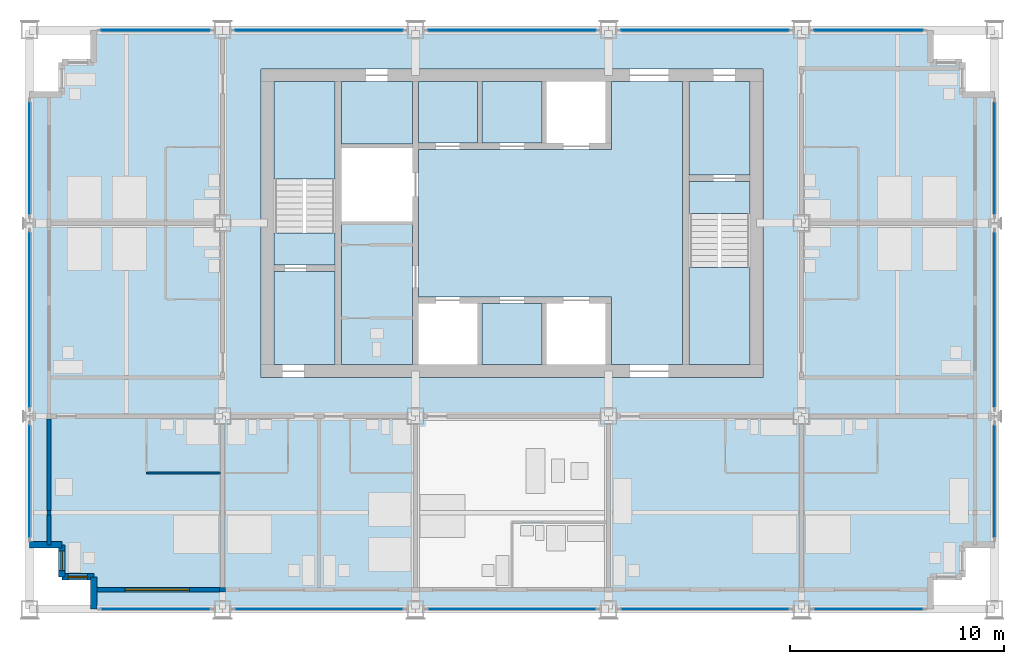
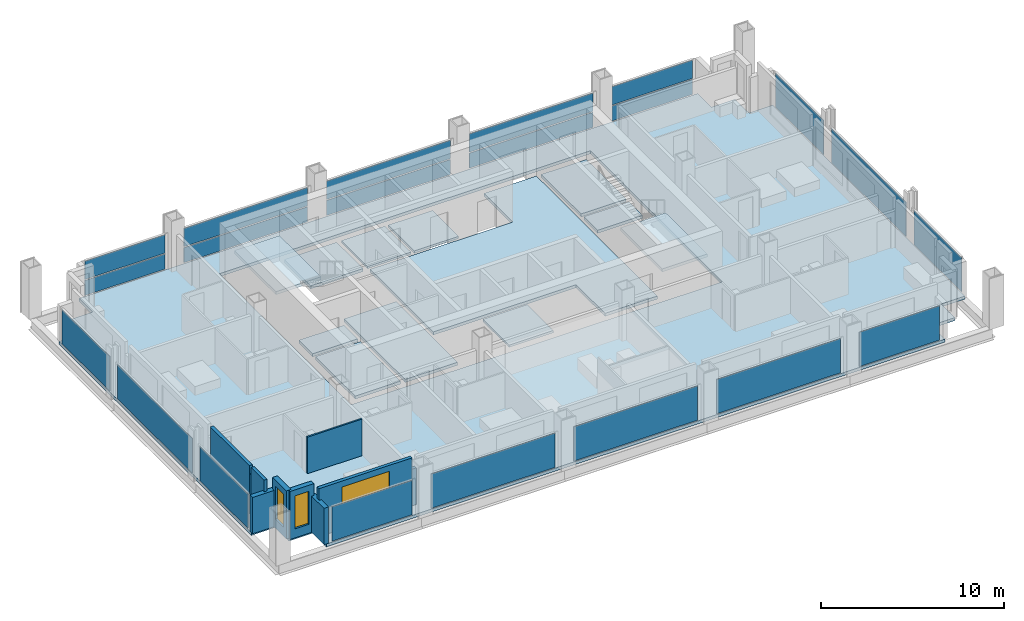
# One storey, part 6 of 13: 21 plates, 13 slabs, 10 walls, 3 windows, 3 openings, 18 elements without a shape of their own.
"""IFC4 building model written with IfcOpenShell, lengths in metres."""

from ifc_helpers import new_model, si_unit, direction, frame, frame_2d, origin, origin_2d, place, context, subcontext, project, spatial, polyline, rectangle, outline, extrude, material, layer, layer_set, type_object, element, fill, aggregate, save


model = new_model("IFC4")

# Units and contexts
model_context = context("Model", 3, precision=1e-05, world=origin(), true_north=direction((0.0, 1.0)))
body_context = subcontext(model_context, "Body", "Model", "MODEL_VIEW")
ifc_project = project(units=[si_unit("LENGTHUNIT", "METRE"), si_unit("AREAUNIT", "SQUARE_METRE"), si_unit("VOLUMEUNIT", "CUBIC_METRE"), si_unit("PLANEANGLEUNIT", "RADIAN"), si_unit("MASSUNIT", "GRAM", prefix="KILO")], contexts=[model_context])

# Site, building, storey
site_placement = place(None, origin())
site = spatial("IfcSite", under=ifc_project, at=site_placement, CompositionType="ELEMENT")
building_placement = place(site_placement, origin())
building = spatial("IfcBuilding", under=site, at=building_placement, Name="Loomwork Tower", CompositionType="ELEMENT")
storey_placement = place(building_placement, frame((0.0, 0.0, 187.60009765625)))
storey = spatial("IfcBuildingStorey", under=building, at=storey_placement, Name="L51", CompositionType="ELEMENT", Elevation=187.60009765625)

# Slabs
ifc_material_1 = material(Name="Concrete 5000 psi (34 MPa) on composite metal deck", Category="concrete")
ifc_layer_1 = layer(ifc_material_1, 0.199951171875)
ifc_layer_set_1 = layer_set([ifc_layer_1], Name="Floor slab 200")
slab_type_1 = type_object("IfcSlabType", Name="Floor slab 200", PredefinedType="FLOOR", material=ifc_layer_set_1)
slab_1_placement = place(storey_placement, frame((0.0, 0.0, -0.2001953125)))
element("IfcSlab", 1, at=slab_1_placement, inside=storey, type_object=slab_type_1, Name="Floor slab L51", PredefinedType="FLOOR", context=body_context, shape_type="SweptSolid", body=[
    extrude(outline(polyline([(3.0, 1.5), (1.5, 1.5), (1.5, 3.0), (0.0, 3.0), (0.0, 24.0), (1.5, 24.0), (1.5, 25.5), (3.0, 25.5), (3.0, 27.0), (42.0, 27.0), (42.0, 25.5), (43.5, 25.5), (43.5, 24.0), (45.0, 24.0), (45.0, 3.0), (43.5, 3.0), (43.5, 1.5), (42.0, 1.5), (42.0, 0.0), (3.0, 0.0), (3.0, 1.5)]), holes=[polyline([(10.800048828125, 11.39990234375), (10.800048828125, 11.39990234375), (10.800048828125, 10.800048828125), (34.199951171875, 10.800048828125), (34.199951171875, 11.39990234375), (34.199951171875, 11.39990234375), (34.199951171875, 24.60009765625), (34.199951171875, 25.199951171875), (10.800048828125, 25.199951171875), (10.800048828125, 24.60009765625), (10.800048828125, 11.39990234375)])]), origin(), (0.0, 0.0, 1.0), 0.2001953125),
])
slab_2_placement = place(storey_placement, frame((0.0, 0.0, -0.2001953125)))
element("IfcSlab", 2, at=slab_2_placement, inside=storey, type_object=slab_type_1, Name="Floor slab L51", PredefinedType="FLOOR", context=body_context, shape_type="SweptSolid", body=[
    extrude(outline(polyline([(30.449951171875, 24.60009765625), (30.449951171875, 11.39990234375), (27.14990234375, 11.39990234375), (27.14990234375, 14.25), (27.14990234375, 14.550048828125), (18.14990234375, 14.550048828125), (18.14990234375, 21.449951171875), (27.14990234375, 21.449951171875), (27.14990234375, 21.75), (27.14990234375, 24.60009765625), (30.449951171875, 24.60009765625)])), origin(), (0.0, 0.0, 1.0), 0.2001953125),
])
slab_3_placement = place(storey_placement, frame((0.0, 0.0, -0.2001953125)))
element("IfcSlab", 3, at=slab_3_placement, inside=storey, type_object=slab_type_1, Name="Floor slab L51", PredefinedType="FLOOR", context=body_context, shape_type="SweptSolid", body=[
    extrude(outline(polyline([(14.550048828125, 11.39990234375), (14.550048828125, 18.074951171875), (17.85009765625, 18.074951171875), (17.85009765625, 11.39990234375), (14.550048828125, 11.39990234375)])), origin(), (0.0, 0.0, 1.0), 0.2001953125),
])
slab_4_placement = place(storey_placement, frame((0.0, 0.0, -0.2001953125)))
element("IfcSlab", 4, at=slab_4_placement, inside=storey, type_object=slab_type_1, Name="Floor slab L51", PredefinedType="FLOOR", context=body_context, shape_type="SweptSolid", body=[
    extrude(outline(polyline([(33.60009765625, 20.25), (30.75, 20.25), (30.75, 24.60009765625), (33.60009765625, 24.60009765625), (33.60009765625, 20.25)])), origin(), (0.0, 0.0, 1.0), 0.2001953125),
])
slab_5_placement = place(storey_placement, frame((0.0, 0.0, -0.2001953125)))
element("IfcSlab", 5, at=slab_5_placement, inside=storey, type_object=slab_type_1, Name="Floor slab L51", PredefinedType="FLOOR", context=body_context, shape_type="SweptSolid", body=[
    extrude(outline(polyline([(14.25, 15.75), (14.25, 11.39990234375), (11.39990234375, 11.39990234375), (11.39990234375, 15.75), (14.25, 15.75)])), origin(), (0.0, 0.0, 1.0), 0.2001953125),
])
slab_6_placement = place(storey_placement, frame((0.0, 0.0, -0.2001953125)))
element("IfcSlab", 6, at=slab_6_placement, inside=storey, type_object=slab_type_1, Name="Floor slab L51", PredefinedType="FLOOR", context=body_context, shape_type="SweptSolid", body=[
    extrude(outline(polyline([(14.550048828125, 21.699951171875), (14.550048828125, 24.60009765625), (17.85009765625, 24.60009765625), (17.85009765625, 21.699951171875), (14.550048828125, 21.699951171875)])), origin(), (0.0, 0.0, 1.0), 0.2001953125),
])

# Curtain wall, plate
ifc_material_2 = material(Name="Aluminium curtain wall frame", Category="aluminium")
curtain_wall_type_1 = type_object("IfcCurtainWallType", Name="Outer skin glazing hotel", PredefinedType="NOTDEFINED", material=ifc_material_2)
curtain_wall_1_placement = place(storey_placement, origin())
curtain_wall_1 = element("IfcCurtainWall", 7, at=curtain_wall_1_placement, inside=storey, type_object=curtain_wall_type_1, Name="Outer skin glazing hotel cw/S-0", PredefinedType="NOTDEFINED")
ifc_material_3 = material(Name="Clear laminated glass", Category="glass")
ifc_layer_2 = layer(ifc_material_3, 0.02392578125)
ifc_layer_set_2 = layer_set([ifc_layer_2], Name="Outer skin glazing hotel panel")
plate_type_1 = type_object("IfcPlateType", Name="Outer skin glazing hotel panel", PredefinedType="CURTAIN_PANEL", material=ifc_layer_set_2)
plate_1_placement = place(storey_placement, frame((5.875, 0.0, 0.06494140625), z_axis=(0.0, 0.0, 1.0), x_axis=(1.0, 0.0, 0.0)))
plate_1 = element("IfcPlate", 8, at=plate_1_placement, type_object=plate_type_1, Name="CW1 panel 1.1", PredefinedType="CURTAIN_PANEL", context=body_context, shape_type="SweptSolid", body=[
    extrude(rectangle(XDim=5.050048828125, YDim=0.02392578125, at=origin_2d()), origin(), (0.0, 0.0, 1.0), 2.290283203125),
])
aggregate(curtain_wall_1, [plate_1])

curtain_wall_2_placement = place(storey_placement, origin())
curtain_wall_2 = element("IfcCurtainWall", 9, at=curtain_wall_2_placement, inside=storey, type_object=curtain_wall_type_1, Name="Outer skin glazing hotel cw/S-9", PredefinedType="NOTDEFINED")
plate_2_placement = place(storey_placement, frame((13.5, 0.0, 0.06494140625), z_axis=(0.0, 0.0, 1.0), x_axis=(1.0, 0.0, 0.0)))
plate_2 = element("IfcPlate", 10, at=plate_2_placement, type_object=plate_type_1, Name="CW1 panel 1.1", PredefinedType="CURTAIN_PANEL", context=body_context, shape_type="SweptSolid", body=[
    extrude(rectangle(XDim=7.800048828125, YDim=0.02392578125, at=origin_2d()), origin(), (0.0, 0.0, 1.0), 2.290283203125),
])
aggregate(curtain_wall_2, [plate_2])

curtain_wall_3_placement = place(storey_placement, origin())
curtain_wall_3 = element("IfcCurtainWall", 11, at=curtain_wall_3_placement, inside=storey, type_object=curtain_wall_type_1, Name="Outer skin glazing hotel cw/S-18", PredefinedType="NOTDEFINED")
plate_3_placement = place(storey_placement, frame((22.5, 0.0, 0.06494140625), z_axis=(0.0, 0.0, 1.0), x_axis=(1.0, 0.0, 0.0)))
plate_3 = element("IfcPlate", 12, at=plate_3_placement, type_object=plate_type_1, Name="CW1 panel 1.1", PredefinedType="CURTAIN_PANEL", context=body_context, shape_type="SweptSolid", body=[
    extrude(rectangle(XDim=7.800048828125, YDim=0.02392578125, at=origin_2d()), origin(), (0.0, 0.0, 1.0), 2.290283203125),
])
aggregate(curtain_wall_3, [plate_3])

curtain_wall_4_placement = place(storey_placement, origin())
curtain_wall_4 = element("IfcCurtainWall", 13, at=curtain_wall_4_placement, inside=storey, type_object=curtain_wall_type_1, Name="Outer skin glazing hotel cw/S-27", PredefinedType="NOTDEFINED")
plate_4_placement = place(storey_placement, frame((31.5, 0.0, 0.06494140625), z_axis=(0.0, 0.0, 1.0), x_axis=(1.0, 0.0, 0.0)))
plate_4 = element("IfcPlate", 14, at=plate_4_placement, type_object=plate_type_1, Name="CW1 panel 1.1", PredefinedType="CURTAIN_PANEL", context=body_context, shape_type="SweptSolid", body=[
    extrude(rectangle(XDim=7.800048828125, YDim=0.02392578125, at=origin_2d()), origin(), (0.0, 0.0, 1.0), 2.290283203125),
])
aggregate(curtain_wall_4, [plate_4])

curtain_wall_5_placement = place(storey_placement, origin())
curtain_wall_5 = element("IfcCurtainWall", 15, at=curtain_wall_5_placement, inside=storey, type_object=curtain_wall_type_1, Name="Outer skin glazing hotel cw/S-36", PredefinedType="NOTDEFINED")
plate_5_placement = place(storey_placement, frame((39.125, 0.0, 0.06494140625), z_axis=(0.0, 0.0, 1.0), x_axis=(1.0, 0.0, 0.0)))
plate_5 = element("IfcPlate", 16, at=plate_5_placement, type_object=plate_type_1, Name="CW1 panel 1.1", PredefinedType="CURTAIN_PANEL", context=body_context, shape_type="SweptSolid", body=[
    extrude(rectangle(XDim=5.050048828125, YDim=0.02392578125, at=origin_2d()), origin(), (0.0, 0.0, 1.0), 2.290283203125),
])
aggregate(curtain_wall_5, [plate_5])

curtain_wall_6_placement = place(storey_placement, origin())
curtain_wall_6 = element("IfcCurtainWall", 17, at=curtain_wall_6_placement, inside=storey, type_object=curtain_wall_type_1, Name="Outer skin glazing hotel cw/W-0", PredefinedType="NOTDEFINED")
plate_6_placement = place(storey_placement, frame((0.0, 5.962646484375, 0.06494140625), z_axis=(0.0, 0.0, 1.0), x_axis=(0.0, -1.0, 0.0)))
plate_6 = element("IfcPlate", 18, at=plate_6_placement, type_object=plate_type_1, Name="CW1 panel 1.1", PredefinedType="CURTAIN_PANEL", context=body_context, shape_type="SweptSolid", body=[
    extrude(rectangle(XDim=5.22509765625, YDim=0.02392578125, at=origin_2d()), origin(), (0.0, 0.0, 1.0), 2.290283203125),
])
aggregate(curtain_wall_6, [plate_6])

curtain_wall_7_placement = place(storey_placement, origin())
curtain_wall_7 = element("IfcCurtainWall", 19, at=curtain_wall_7_placement, inside=storey, type_object=curtain_wall_type_1, Name="Outer skin glazing hotel cw/W-9", PredefinedType="NOTDEFINED")
plate_7_placement = place(storey_placement, frame((0.0, 13.5, 0.06494140625), z_axis=(0.0, 0.0, 1.0), x_axis=(0.0, -1.0, 0.0)))
plate_7 = element("IfcPlate", 20, at=plate_7_placement, type_object=plate_type_1, Name="CW1 panel 1.1", PredefinedType="CURTAIN_PANEL", context=body_context, shape_type="SweptSolid", body=[
    extrude(rectangle(XDim=8.150390625, YDim=0.02392578125, at=origin_2d()), origin(), (0.0, 0.0, 1.0), 2.290283203125),
])
aggregate(curtain_wall_7, [plate_7])

curtain_wall_8_placement = place(storey_placement, origin())
curtain_wall_8 = element("IfcCurtainWall", 21, at=curtain_wall_8_placement, inside=storey, type_object=curtain_wall_type_1, Name="Outer skin glazing hotel cw/W-18", PredefinedType="NOTDEFINED")
plate_8_placement = place(storey_placement, frame((0.0, 21.037353515625, 0.06494140625), z_axis=(0.0, 0.0, 1.0), x_axis=(0.0, -1.0, 0.0)))
plate_8 = element("IfcPlate", 22, at=plate_8_placement, type_object=plate_type_1, Name="CW1 panel 1.1", PredefinedType="CURTAIN_PANEL", context=body_context, shape_type="SweptSolid", body=[
    extrude(rectangle(XDim=5.22509765625, YDim=0.02392578125, at=origin_2d()), origin(), (0.0, 0.0, 1.0), 2.290283203125),
])
aggregate(curtain_wall_8, [plate_8])

curtain_wall_9_placement = place(storey_placement, origin())
curtain_wall_9 = element("IfcCurtainWall", 23, at=curtain_wall_9_placement, inside=storey, type_object=curtain_wall_type_1, Name="Outer skin glazing hotel cw/E-0", PredefinedType="NOTDEFINED")
plate_9_placement = place(storey_placement, frame((45.0, 5.962646484375, 0.06494140625), z_axis=(0.0, 0.0, 1.0), x_axis=(0.0, 1.0, 0.0)))
plate_9 = element("IfcPlate", 24, at=plate_9_placement, type_object=plate_type_1, Name="CW1 panel 1.1", PredefinedType="CURTAIN_PANEL", context=body_context, shape_type="SweptSolid", body=[
    extrude(rectangle(XDim=5.22509765625, YDim=0.02392578125, at=origin_2d()), origin(), (0.0, 0.0, 1.0), 2.290283203125),
])
aggregate(curtain_wall_9, [plate_9])

curtain_wall_10_placement = place(storey_placement, origin())
curtain_wall_10 = element("IfcCurtainWall", 25, at=curtain_wall_10_placement, inside=storey, type_object=curtain_wall_type_1, Name="Outer skin glazing hotel cw/E-9", PredefinedType="NOTDEFINED")
plate_10_placement = place(storey_placement, frame((45.0, 13.5, 0.06494140625), z_axis=(0.0, 0.0, 1.0), x_axis=(0.0, 1.0, 0.0)))
plate_10 = element("IfcPlate", 26, at=plate_10_placement, type_object=plate_type_1, Name="CW1 panel 1.1", PredefinedType="CURTAIN_PANEL", context=body_context, shape_type="SweptSolid", body=[
    extrude(rectangle(XDim=8.150390625, YDim=0.02392578125, at=origin_2d()), origin(), (0.0, 0.0, 1.0), 2.290283203125),
])
aggregate(curtain_wall_10, [plate_10])

curtain_wall_11_placement = place(storey_placement, origin())
curtain_wall_11 = element("IfcCurtainWall", 27, at=curtain_wall_11_placement, inside=storey, type_object=curtain_wall_type_1, Name="Outer skin glazing hotel cw/E-18", PredefinedType="NOTDEFINED")
plate_11_placement = place(storey_placement, frame((45.0, 21.037353515625, 0.06494140625), z_axis=(0.0, 0.0, 1.0), x_axis=(0.0, 1.0, 0.0)))
plate_11 = element("IfcPlate", 28, at=plate_11_placement, type_object=plate_type_1, Name="CW1 panel 1.1", PredefinedType="CURTAIN_PANEL", context=body_context, shape_type="SweptSolid", body=[
    extrude(rectangle(XDim=5.22509765625, YDim=0.02392578125, at=origin_2d()), origin(), (0.0, 0.0, 1.0), 2.290283203125),
])
aggregate(curtain_wall_11, [plate_11])

# Slabs
ifc_material_4 = material(Name="Concrete 5000 psi (34 MPa) on composite metal deck", Category="concrete")
ifc_layer_3 = layer(ifc_material_4, 0.14990234375)
ifc_layer_set_3 = layer_set([ifc_layer_3], Name="Shaft infill floor 150")
slab_type_2 = type_object("IfcSlabType", Name="Shaft infill floor 150", PredefinedType="FLOOR", material=ifc_layer_set_3)
slab_7_placement = place(storey_placement, frame((0.0, 0.0, -0.150146484375)))
element("IfcSlab", 29, at=slab_7_placement, inside=storey, type_object=slab_type_2, Name="Shaft infill floor LS1 L51", PredefinedType="FLOOR", context=body_context, shape_type="SweptSolid", body=[
    extrude(outline(polyline([(18.14990234375, 21.75), (20.89990234375, 21.75), (20.89990234375, 24.60009765625), (18.14990234375, 24.60009765625), (18.14990234375, 21.75)])), origin(), (0.0, 0.0, 1.0), 0.150146484375),
])
slab_8_placement = place(storey_placement, frame((0.0, 0.0, -0.150146484375)))
element("IfcSlab", 30, at=slab_8_placement, inside=storey, type_object=slab_type_2, Name="Shaft infill floor LS2 L51", PredefinedType="FLOOR", context=body_context, shape_type="SweptSolid", body=[
    extrude(outline(polyline([(21.10009765625, 21.75), (23.89990234375, 21.75), (23.89990234375, 24.60009765625), (21.10009765625, 24.60009765625), (21.10009765625, 21.75)])), origin(), (0.0, 0.0, 1.0), 0.150146484375),
])
slab_9_placement = place(storey_placement, frame((0.0, 0.0, -0.150146484375)))
element("IfcSlab", 31, at=slab_9_placement, inside=storey, type_object=slab_type_2, Name="Shaft infill floor S2 L51", PredefinedType="FLOOR", context=body_context, shape_type="SweptSolid", body=[
    extrude(outline(polyline([(21.10009765625, 11.39990234375), (23.89990234375, 11.39990234375), (23.89990234375, 14.25), (21.10009765625, 14.25), (21.10009765625, 11.39990234375)])), origin(), (0.0, 0.0, 1.0), 0.150146484375),
])

# Curtain wall, plates
ifc_material_5 = material(Name="Aluminium curtain wall frame", Category="aluminium")
curtain_wall_type_2 = type_object("IfcCurtainWallType", Name="Single skin glazing corridor", PredefinedType="NOTDEFINED", material=ifc_material_5)
curtain_wall_12_placement = place(storey_placement, origin())
curtain_wall_12 = element("IfcCurtainWall", 32, at=curtain_wall_12_placement, inside=storey, type_object=curtain_wall_type_2, Name="Single skin glazing corridor cw/N-0", PredefinedType="NOTDEFINED")
ifc_material_6 = material(Name="Clear insulated glass", Category="glass")
ifc_layer_4 = layer(ifc_material_6, 0.031982421875)
ifc_layer_set_4 = layer_set([ifc_layer_4], Name="Single skin glazing corridor panel")
plate_type_2 = type_object("IfcPlateType", Name="Single skin glazing corridor panel", PredefinedType="CURTAIN_PANEL", material=ifc_layer_set_4)
plate_12_placement = place(storey_placement, frame((5.875, 27.0, 0.06494140625), z_axis=(0.0, 0.0, 1.0), x_axis=(-1.0, 0.0, 0.0)))
plate_12 = element("IfcPlate", 33, at=plate_12_placement, type_object=plate_type_2, Name="CW3 panel 1.1", PredefinedType="CURTAIN_PANEL", context=body_context, shape_type="SweptSolid", body=[
    extrude(rectangle(XDim=5.050048828125, YDim=0.031982421875, at=origin_2d()), origin(), (0.0, 0.0, 1.0), 1.00244140625),
])
plate_13_placement = place(storey_placement, frame((5.875, 27.0, 1.13232421875), z_axis=(0.0, 0.0, 1.0), x_axis=(-1.0, 0.0, 0.0)))
plate_13 = element("IfcPlate", 34, at=plate_13_placement, type_object=plate_type_2, Name="CW3 panel 1.2", PredefinedType="CURTAIN_PANEL", context=body_context, shape_type="SweptSolid", body=[
    extrude(rectangle(XDim=5.050048828125, YDim=0.031982421875, at=origin_2d()), origin(), (0.0, 0.0, 1.0), 1.22265625),
])
aggregate(curtain_wall_12, [plate_12, plate_13])

curtain_wall_13_placement = place(storey_placement, origin())
curtain_wall_13 = element("IfcCurtainWall", 35, at=curtain_wall_13_placement, inside=storey, type_object=curtain_wall_type_2, Name="Single skin glazing corridor cw/N-9", PredefinedType="NOTDEFINED")
plate_14_placement = place(storey_placement, frame((13.5, 27.0, 0.06494140625), z_axis=(0.0, 0.0, 1.0), x_axis=(-1.0, 0.0, 0.0)))
plate_14 = element("IfcPlate", 36, at=plate_14_placement, type_object=plate_type_2, Name="CW3 panel 1.1", PredefinedType="CURTAIN_PANEL", context=body_context, shape_type="SweptSolid", body=[
    extrude(rectangle(XDim=7.800048828125, YDim=0.031982421875, at=origin_2d()), origin(), (0.0, 0.0, 1.0), 1.00244140625),
])
plate_15_placement = place(storey_placement, frame((13.5, 27.0, 1.13232421875), z_axis=(0.0, 0.0, 1.0), x_axis=(-1.0, 0.0, 0.0)))
plate_15 = element("IfcPlate", 37, at=plate_15_placement, type_object=plate_type_2, Name="CW3 panel 1.2", PredefinedType="CURTAIN_PANEL", context=body_context, shape_type="SweptSolid", body=[
    extrude(rectangle(XDim=7.800048828125, YDim=0.031982421875, at=origin_2d()), origin(), (0.0, 0.0, 1.0), 1.22265625),
])
aggregate(curtain_wall_13, [plate_14, plate_15])

curtain_wall_14_placement = place(storey_placement, origin())
curtain_wall_14 = element("IfcCurtainWall", 38, at=curtain_wall_14_placement, inside=storey, type_object=curtain_wall_type_2, Name="Single skin glazing corridor cw/N-18", PredefinedType="NOTDEFINED")
plate_16_placement = place(storey_placement, frame((22.5, 27.0, 0.06494140625), z_axis=(0.0, 0.0, 1.0), x_axis=(-1.0, 0.0, 0.0)))
plate_16 = element("IfcPlate", 39, at=plate_16_placement, type_object=plate_type_2, Name="CW3 panel 1.1", PredefinedType="CURTAIN_PANEL", context=body_context, shape_type="SweptSolid", body=[
    extrude(rectangle(XDim=7.800048828125, YDim=0.031982421875, at=origin_2d()), origin(), (0.0, 0.0, 1.0), 1.00244140625),
])
plate_17_placement = place(storey_placement, frame((22.5, 27.0, 1.13232421875), z_axis=(0.0, 0.0, 1.0), x_axis=(-1.0, 0.0, 0.0)))
plate_17 = element("IfcPlate", 40, at=plate_17_placement, type_object=plate_type_2, Name="CW3 panel 1.2", PredefinedType="CURTAIN_PANEL", context=body_context, shape_type="SweptSolid", body=[
    extrude(rectangle(XDim=7.800048828125, YDim=0.031982421875, at=origin_2d()), origin(), (0.0, 0.0, 1.0), 1.22265625),
])
aggregate(curtain_wall_14, [plate_16, plate_17])

curtain_wall_15_placement = place(storey_placement, origin())
curtain_wall_15 = element("IfcCurtainWall", 41, at=curtain_wall_15_placement, inside=storey, type_object=curtain_wall_type_2, Name="Single skin glazing corridor cw/N-27", PredefinedType="NOTDEFINED")
plate_18_placement = place(storey_placement, frame((31.5, 27.0, 0.06494140625), z_axis=(0.0, 0.0, 1.0), x_axis=(-1.0, 0.0, 0.0)))
plate_18 = element("IfcPlate", 42, at=plate_18_placement, type_object=plate_type_2, Name="CW3 panel 1.1", PredefinedType="CURTAIN_PANEL", context=body_context, shape_type="SweptSolid", body=[
    extrude(rectangle(XDim=7.800048828125, YDim=0.031982421875, at=origin_2d()), origin(), (0.0, 0.0, 1.0), 1.00244140625),
])
plate_19_placement = place(storey_placement, frame((31.5, 27.0, 1.13232421875), z_axis=(0.0, 0.0, 1.0), x_axis=(-1.0, 0.0, 0.0)))
plate_19 = element("IfcPlate", 43, at=plate_19_placement, type_object=plate_type_2, Name="CW3 panel 1.2", PredefinedType="CURTAIN_PANEL", context=body_context, shape_type="SweptSolid", body=[
    extrude(rectangle(XDim=7.800048828125, YDim=0.031982421875, at=origin_2d()), origin(), (0.0, 0.0, 1.0), 1.22265625),
])
aggregate(curtain_wall_15, [plate_18, plate_19])

curtain_wall_16_placement = place(storey_placement, origin())
curtain_wall_16 = element("IfcCurtainWall", 44, at=curtain_wall_16_placement, inside=storey, type_object=curtain_wall_type_2, Name="Single skin glazing corridor cw/N-36", PredefinedType="NOTDEFINED")
plate_20_placement = place(storey_placement, frame((39.125, 27.0, 0.06494140625), z_axis=(0.0, 0.0, 1.0), x_axis=(-1.0, 0.0, 0.0)))
plate_20 = element("IfcPlate", 45, at=plate_20_placement, type_object=plate_type_2, Name="CW3 panel 1.1", PredefinedType="CURTAIN_PANEL", context=body_context, shape_type="SweptSolid", body=[
    extrude(rectangle(XDim=5.050048828125, YDim=0.031982421875, at=origin_2d()), origin(), (0.0, 0.0, 1.0), 1.00244140625),
])
plate_21_placement = place(storey_placement, frame((39.125, 27.0, 1.13232421875), z_axis=(0.0, 0.0, 1.0), x_axis=(-1.0, 0.0, 0.0)))
plate_21 = element("IfcPlate", 46, at=plate_21_placement, type_object=plate_type_2, Name="CW3 panel 1.2", PredefinedType="CURTAIN_PANEL", context=body_context, shape_type="SweptSolid", body=[
    extrude(rectangle(XDim=5.050048828125, YDim=0.031982421875, at=origin_2d()), origin(), (0.0, 0.0, 1.0), 1.22265625),
])
aggregate(curtain_wall_16, [plate_20, plate_21])

# Stair, slabs
ifc_material_7 = material(Name="Concrete 5000 psi (34 MPa) precast stair", Category="concrete")
stair_type_1 = type_object("IfcStairType", Name="Stair ST-A 20 risers 2850 wide", PredefinedType="HALF_TURN_STAIR", material=ifc_material_7)
stair_1_placement = place(storey_placement, origin())
stair_1 = element("IfcStair", 47, at=stair_1_placement, inside=storey, type_object=stair_type_1, Name="Stair A L51", PredefinedType="HALF_TURN_STAIR")
ifc_material_8 = material(Name="Concrete 5000 psi (34 MPa)", Category="concrete")
ifc_layer_5 = layer(ifc_material_8, 0.199951171875)
ifc_layer_set_5 = layer_set([ifc_layer_5], Name="Stair landing 200")
slab_type_3 = type_object("IfcSlabType", Name="Stair landing 200", PredefinedType="LANDING", material=ifc_layer_set_5)
slab_10_placement = place(storey_placement, frame((0.0, 0.0, -0.2001953125)))
slab_10 = element("IfcSlab", 48, at=slab_10_placement, type_object=slab_type_3, Name="ST-A landing 1", PredefinedType="LANDING", context=body_context, shape_type="SweptSolid", body=[
    extrude(outline(polyline([(11.39990234375, 16.050048828125), (14.25, 16.050048828125), (14.25, 17.550048828125), (11.39990234375, 17.550048828125), (11.39990234375, 16.050048828125)])), origin(), (0.0, 0.0, 1.0), 0.2001953125),
])
slab_11_placement = place(storey_placement, frame((0.0, 0.0, 1.5)))
slab_11 = element("IfcSlab", 49, at=slab_11_placement, type_object=slab_type_3, Name="ST-A landing 2", PredefinedType="LANDING", context=body_context, shape_type="SweptSolid", body=[
    extrude(outline(polyline([(11.39990234375, 20.070068359375), (14.25, 20.070068359375), (14.25, 24.60009765625), (11.39990234375, 24.60009765625), (11.39990234375, 20.070068359375)])), origin(), (0.0, 0.0, 1.0), 0.199951171875),
])
aggregate(stair_1, [slab_10, slab_11])

ifc_material_9 = material(Name="Concrete 5000 psi (34 MPa) precast stair", Category="concrete")
stair_type_2 = type_object("IfcStairType", Name="Stair ST-B 20 risers 2850 wide", PredefinedType="HALF_TURN_STAIR", material=ifc_material_9)
stair_2_placement = place(storey_placement, origin())
stair_2 = element("IfcStair", 50, at=stair_2_placement, inside=storey, type_object=stair_type_2, Name="Stair B L51", PredefinedType="HALF_TURN_STAIR")
slab_12_placement = place(storey_placement, frame((0.0, 0.0, -0.2001953125)))
slab_12 = element("IfcSlab", 51, at=slab_12_placement, type_object=slab_type_3, Name="ST-B landing 1", PredefinedType="LANDING", context=body_context, shape_type="SweptSolid", body=[
    extrude(outline(polyline([(30.75, 18.449951171875), (33.60009765625, 18.449951171875), (33.60009765625, 19.949951171875), (30.75, 19.949951171875), (30.75, 18.449951171875)])), origin(), (0.0, 0.0, 1.0), 0.2001953125),
])
slab_13_placement = place(storey_placement, frame((0.0, 0.0, 1.5)))
slab_13 = element("IfcSlab", 52, at=slab_13_placement, type_object=slab_type_3, Name="ST-B landing 2", PredefinedType="LANDING", context=body_context, shape_type="SweptSolid", body=[
    extrude(outline(polyline([(30.75, 11.39990234375), (33.60009765625, 11.39990234375), (33.60009765625, 15.929931640625), (30.75, 15.929931640625), (30.75, 11.39990234375)])), origin(), (0.0, 0.0, 1.0), 0.199951171875),
])
aggregate(stair_2, [slab_12, slab_13])

# Wall
ifc_material_10 = material(Name="Cement board on steel studs", Category="steel")
ifc_layer_6 = layer(ifc_material_10, 0.10009765625)
ifc_layer_set_6 = layer_set([ifc_layer_6], Name="En-suite partition 100")
wall_type_1 = type_object("IfcWallType", Name="En-suite partition 100", PredefinedType="PARTITIONING", material=ifc_layer_set_6)
wall_1_placement = place(storey_placement, frame((5.449951171875, 6.35009765625, 0.0), z_axis=(0.0, 0.0, 1.0), x_axis=(1.0, 0.0, 0.0)))
element("IfcWall", 53, at=wall_1_placement, inside=storey, type_object=wall_type_1, Name="En-suite wall L51 room 1", PredefinedType="PARTITIONING", context=body_context, shape_type="SweptSolid", body=[
    extrude(rectangle(XDim=3.449951171875, YDim=0.10009765625, at=frame_2d((1.72509765625, 0.0))), origin(), (0.0, 0.0, 1.0), 2.43798828125),
])

# Wall, opening, window
ifc_material_11 = material(Name="Insulated steel stud wall with gypsum lining", Category="steel")
ifc_layer_7 = layer(ifc_material_11, 0.199951171875)
ifc_layer_set_7 = layer_set([ifc_layer_7], Name="Inner skin wall 200")
wall_type_2 = type_object("IfcWallType", Name="Inner skin wall 200", PredefinedType="SOLIDWALL", material=ifc_layer_set_7)
wall_2_placement = place(storey_placement, frame((3.0, 0.89990234375, 0.0), z_axis=(0.0, 0.0, 1.0), x_axis=(1.0, 0.0, 0.0)))
wall_2 = element("IfcWall", 54, at=wall_2_placement, inside=storey, type_object=wall_type_2, Name="Inner skin wall S", PredefinedType="SOLIDWALL", context=body_context, shape_type="SweptSolid", body=[
    extrude(rectangle(XDim=5.86474609375, YDim=0.199951171875, at=frame_2d((2.932373046875, 0.0))), origin(), (0.0, 0.0, 1.0), 3.199951171875),
])
opening_1_placement = place(wall_2_placement, frame((1.449951171875, 0.0, 0.60009765625)))
opening_1 = element("IfcOpeningElement", 55, at=opening_1_placement, cuts=wall_2, Name="Opening CH1", PredefinedType="OPENING", context=body_context, shape_type="SweptSolid", body=[
    extrude(rectangle(XDim=3.0, YDim=2.199951171875, at=frame_2d((1.5, 1.10009765625))), frame((0.0, 0.10986328125, 0.0), z_axis=(0.0, -1.0, 0.0), x_axis=(1.0, 0.0, 0.0)), (0.0, 0.0, 1.0), 0.219970703125),
])
ifc_material_12 = material(Name="Aluminium frame with clear insulated glass", Category="aluminium")
window_type_1 = type_object("IfcWindowType", Name="Chicago window 3000", PartitioningType="TRIPLE_PANEL_VERTICAL", PredefinedType="WINDOW", material=ifc_material_12)
window_1_placement = place(opening_1_placement, origin())
window_1 = element("IfcWindow", 56, at=window_1_placement, inside=storey, type_object=window_type_1, Name="Chicago window L51 bay 1", OverallHeight=2.199951171875, OverallWidth=3.0, PartitioningType="TRIPLE_PANEL_VERTICAL", PredefinedType="WINDOW", context=body_context, shape_type="SweptSolid", body=[
    extrude(rectangle(XDim=3.0, YDim=2.199951171875, at=frame_2d((1.5, 1.10009765625))), frame((0.0, 0.030029296875, 0.0), z_axis=(0.0, -1.0, 0.0), x_axis=(1.0, 0.0, 0.0)), (0.0, 0.0, 1.0), 0.06005859375),
])
fill(opening_1, window_1)

# Walls
wall_3_placement = place(storey_placement, frame((0.89990234375, 3.0, 0.0), z_axis=(0.0, 0.0, 1.0), x_axis=(0.0, 1.0, 0.0)))
element("IfcWall", 57, at=wall_3_placement, inside=storey, type_object=wall_type_2, Name="Inner skin wall W", PredefinedType="SOLIDWALL", context=body_context, shape_type="SweptSolid", body=[
    extrude(rectangle(XDim=1.392578125, YDim=0.199951171875, at=frame_2d((0.6962890625, 0.0))), origin(), (0.0, 0.0, 1.0), 3.199951171875),
])
wall_4_placement = place(storey_placement, frame((8.86474609375, 0.89990234375, 0.0), z_axis=(0.0, 0.0, 1.0), x_axis=(1.0, 0.0, 0.0)))
element("IfcWall", 58, at=wall_4_placement, inside=storey, type_object=wall_type_2, Name="Inner skin wall S bay 2", PredefinedType="SOLIDWALL", context=body_context, shape_type="SweptSolid", body=[
    extrude(rectangle(XDim=0.2705078125, YDim=0.199951171875, at=frame_2d((0.13525390625, 0.0))), origin(), (0.0, 0.0, 1.0), 2.43798828125),
])
wall_5_placement = place(storey_placement, frame((0.89990234375, 4.392578125, 0.0), z_axis=(0.0, 0.0, 1.0), x_axis=(0.0, 1.0, 0.0)))
element("IfcWall", 59, at=wall_5_placement, inside=storey, type_object=wall_type_2, Name="Inner skin wall W bay 2", PredefinedType="SOLIDWALL", context=body_context, shape_type="SweptSolid", body=[
    extrude(rectangle(XDim=0.21484375, YDim=0.199951171875, at=frame_2d((0.107421875, 0.0))), origin(), (0.0, 0.0, 1.0), 2.660888671875),
])
wall_6_placement = place(storey_placement, frame((0.89990234375, 4.607421875, 0.0), z_axis=(0.0, 0.0, 1.0), x_axis=(0.0, 1.0, 0.0)))
element("IfcWall", 60, at=wall_6_placement, inside=storey, type_object=wall_type_2, Name="Inner skin wall W bay 3", PredefinedType="SOLIDWALL", context=body_context, shape_type="SweptSolid", body=[
    extrude(rectangle(XDim=4.25732421875, YDim=0.199951171875, at=frame_2d((2.128662109375, 0.0))), origin(), (0.0, 0.0, 1.0), 3.199951171875),
])
ifc_material_13 = material(Name="Limestone on concrete masonry", Category="masonry")
ifc_layer_8 = layer(ifc_material_13, 0.300048828125)
ifc_layer_set_8 = layer_set([ifc_layer_8], Name="Limestone corner wall 300")
wall_type_3 = type_object("IfcWallType", Name="Limestone corner wall 300", PredefinedType="SOLIDWALL", material=ifc_layer_set_8)
wall_7_placement = place(storey_placement, frame((0.0, 3.0, 0.0), z_axis=(0.0, 0.0, 1.0), x_axis=(1.0, 0.0, 0.0)))
element("IfcWall", 61, at=wall_7_placement, inside=storey, type_object=wall_type_3, Name="Stone corner wall SW 1", PredefinedType="SOLIDWALL", context=body_context, shape_type="SweptSolid", body=[
    extrude(rectangle(XDim=1.5, YDim=0.300048828125, at=frame_2d((0.75, 0.0))), origin(), (0.0, 0.0, 1.0), 2.419921875),
])

# Wall, opening, window
wall_8_placement = place(storey_placement, frame((1.5, 3.0, 0.0), z_axis=(0.0, 0.0, 1.0), x_axis=(0.0, -1.0, 0.0)))
wall_8 = element("IfcWall", 62, at=wall_8_placement, inside=storey, type_object=wall_type_3, Name="Stone corner wall SW 2", PredefinedType="SOLIDWALL", context=body_context, shape_type="SweptSolid", body=[
    extrude(rectangle(XDim=1.5, YDim=0.300048828125, at=frame_2d((0.75, 0.0))), origin(), (0.0, 0.0, 1.0), 3.199951171875),
])
opening_2_placement = place(wall_8_placement, frame((0.300048828125, 0.0, 0.60009765625)))
opening_2 = element("IfcOpeningElement", 63, at=opening_2_placement, cuts=wall_8, Name="Opening CH2", PredefinedType="OPENING", context=body_context, shape_type="SweptSolid", body=[
    extrude(rectangle(XDim=0.89990234375, YDim=2.199951171875, at=frame_2d((0.449951171875, 1.10009765625))), frame((0.0, 0.159912109375, 0.0), z_axis=(0.0, -1.0, 0.0), x_axis=(1.0, 0.0, 0.0)), (0.0, 0.0, 1.0), 0.320068359375),
])
ifc_material_14 = material(Name="Aluminium frame with clear insulated glass", Category="aluminium")
window_type_2 = type_object("IfcWindowType", Name="Corner window 900", PartitioningType="SINGLE_PANEL", PredefinedType="WINDOW", material=ifc_material_14)
window_2_placement = place(opening_2_placement, origin())
window_2 = element("IfcWindow", 64, at=window_2_placement, inside=storey, type_object=window_type_2, Name="Corner window SW", OverallHeight=2.199951171875, OverallWidth=0.89990234375, PartitioningType="SINGLE_PANEL", PredefinedType="WINDOW", context=body_context, shape_type="SweptSolid", body=[
    extrude(rectangle(XDim=0.89990234375, YDim=2.199951171875, at=frame_2d((0.449951171875, 1.10009765625))), frame((0.0, 0.030029296875, 0.0), z_axis=(0.0, -1.0, 0.0), x_axis=(1.0, 0.0, 0.0)), (0.0, 0.0, 1.0), 0.06005859375),
])
fill(opening_2, window_2)

wall_9_placement = place(storey_placement, frame((1.5, 1.5, 0.0), z_axis=(0.0, 0.0, 1.0), x_axis=(1.0, 0.0, 0.0)))
wall_9 = element("IfcWall", 65, at=wall_9_placement, inside=storey, type_object=wall_type_3, Name="Stone corner wall SW 3", PredefinedType="SOLIDWALL", context=body_context, shape_type="SweptSolid", body=[
    extrude(rectangle(XDim=1.5, YDim=0.300048828125, at=frame_2d((0.75, 0.0))), origin(), (0.0, 0.0, 1.0), 3.199951171875),
])
opening_3_placement = place(wall_9_placement, frame((0.300048828125, 0.0, 0.60009765625)))
opening_3 = element("IfcOpeningElement", 66, at=opening_3_placement, cuts=wall_9, Name="Opening CH2", PredefinedType="OPENING", context=body_context, shape_type="SweptSolid", body=[
    extrude(rectangle(XDim=0.89990234375, YDim=2.199951171875, at=frame_2d((0.449951171875, 1.10009765625))), frame((0.0, 0.159912109375, 0.0), z_axis=(0.0, -1.0, 0.0), x_axis=(1.0, 0.0, 0.0)), (0.0, 0.0, 1.0), 0.320068359375),
])
window_3_placement = place(opening_3_placement, origin())
window_3 = element("IfcWindow", 67, at=window_3_placement, inside=storey, type_object=window_type_2, Name="Corner window SW", OverallHeight=2.199951171875, OverallWidth=0.89990234375, PartitioningType="SINGLE_PANEL", PredefinedType="WINDOW", context=body_context, shape_type="SweptSolid", body=[
    extrude(rectangle(XDim=0.89990234375, YDim=2.199951171875, at=frame_2d((0.449951171875, 1.10009765625))), frame((0.0, 0.030029296875, 0.0), z_axis=(0.0, -1.0, 0.0), x_axis=(1.0, 0.0, 0.0)), (0.0, 0.0, 1.0), 0.06005859375),
])
fill(opening_3, window_3)

# Wall
wall_10_placement = place(storey_placement, frame((3.0, 1.5, 0.0), z_axis=(0.0, 0.0, 1.0), x_axis=(0.0, -1.0, 0.0)))
element("IfcWall", 68, at=wall_10_placement, inside=storey, type_object=wall_type_3, Name="Stone corner wall SW 4", PredefinedType="SOLIDWALL", context=body_context, shape_type="SweptSolid", body=[
    extrude(rectangle(XDim=1.5, YDim=0.300048828125, at=frame_2d((0.75, 0.0))), origin(), (0.0, 0.0, 1.0), 2.419921875),
])

save(model, "model.ifc")
